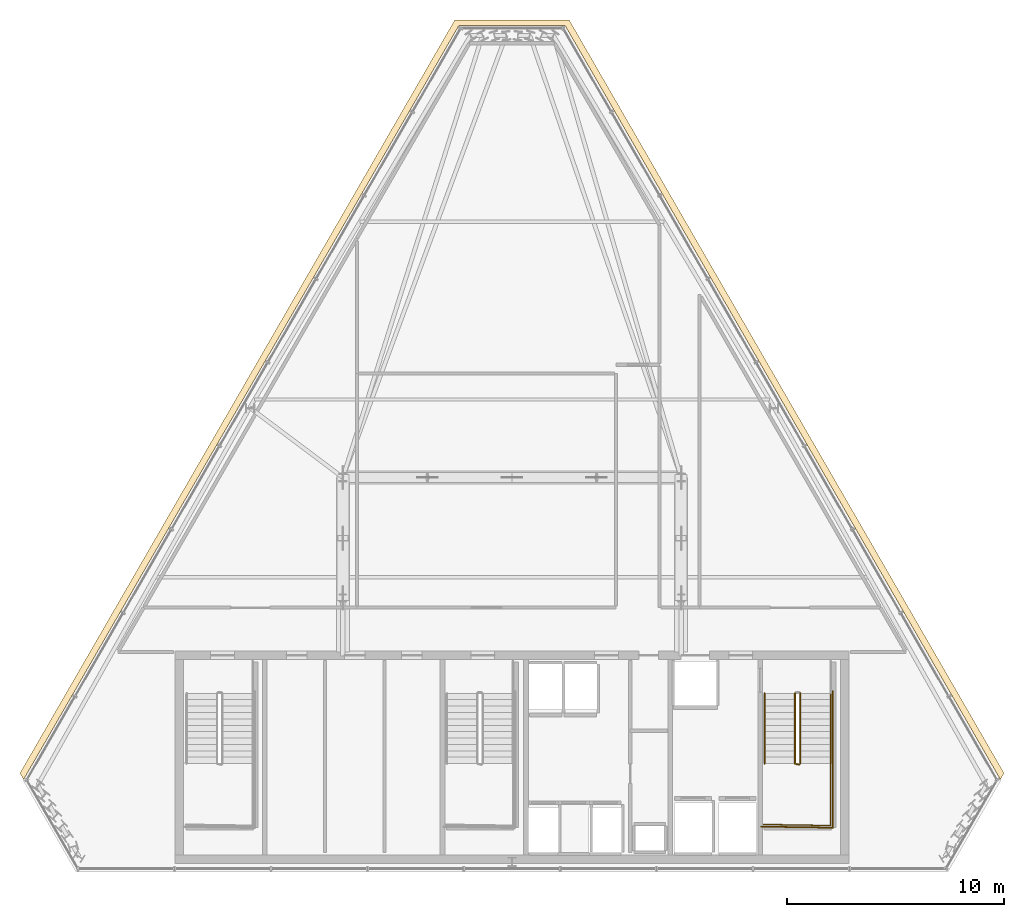
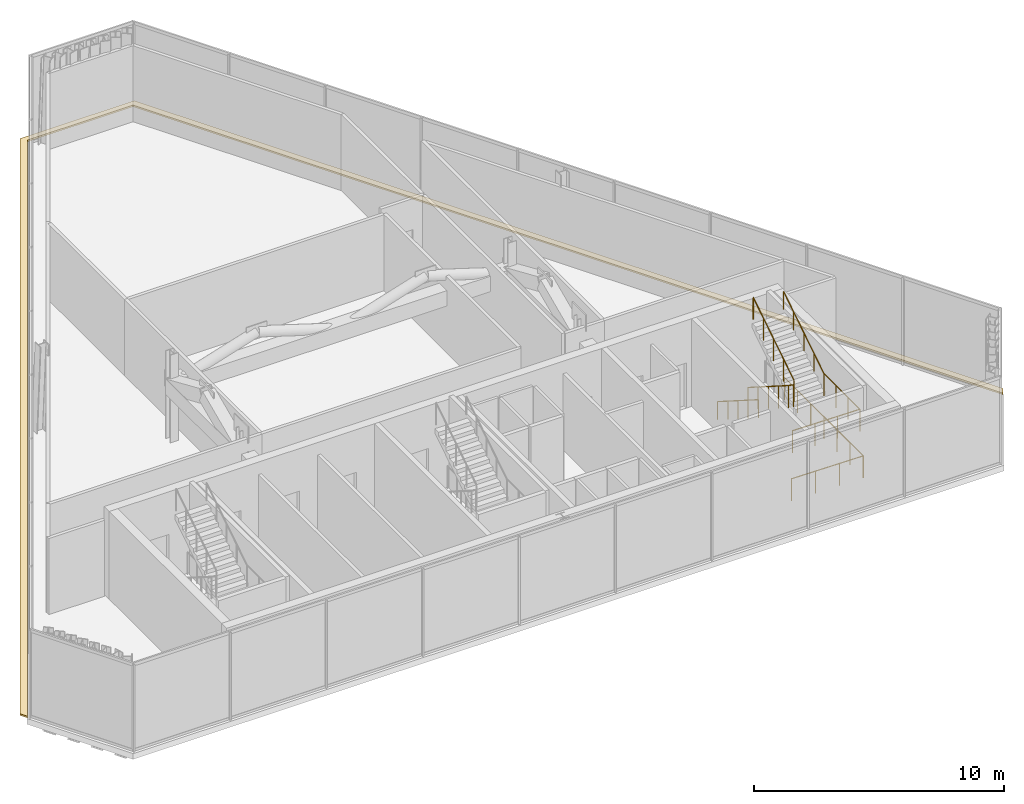
# One storey, part 31 of 32: 6 railings, 1 covering.
"""IFC4 building model written with IfcOpenShell, lengths in metres."""

from ifc_helpers import new_model, si_unit, direction, frame, origin, origin_2d, place, context, subcontext, project, spatial, polyline, circle, outline, extrude, material, layer, layer_set, type_object, element, save


model = new_model("IFC4")

# Units and contexts
model_context = context("Model", 3, precision=1e-05, world=origin(), true_north=direction((0.0, 1.0)))
body_context = subcontext(model_context, "Body", "Model", "MODEL_VIEW")
ifc_project = project(units=[si_unit("LENGTHUNIT", "METRE"), si_unit("AREAUNIT", "SQUARE_METRE"), si_unit("VOLUMEUNIT", "CUBIC_METRE"), si_unit("PLANEANGLEUNIT", "RADIAN"), si_unit("MASSUNIT", "GRAM", prefix="KILO")], contexts=[model_context])

# Site, building, storey
site_placement = place(None, origin())
site = spatial("IfcSite", under=ifc_project, at=site_placement, CompositionType="ELEMENT")
building_placement = place(site_placement, origin())
building = spatial("IfcBuilding", under=site, at=building_placement, Name="Ndaravel Arena Tower", CompositionType="ELEMENT")
storey_placement = place(building_placement, frame((0.0, 0.0, 278.800048828125)))
storey = spatial("IfcBuildingStorey", under=building, at=storey_placement, Name="L68", CompositionType="ELEMENT", Elevation=278.800048828125)

# Covering
ifc_material_1 = material(Name="Roofing Membrane", Category="finish")
ifc_layer_1 = layer(ifc_material_1, 0.080078125)
ifc_layer_set_1 = layer_set([ifc_layer_1], Name="Roofing Membrane")
covering_type = type_object("IfcCoveringType", Name="COV-ROOF-MEMB", PredefinedType="ROOFING", material=ifc_layer_set_1)
covering_placement = place(storey_placement, origin())
element("IfcCovering", 1, at=covering_placement, inside=storey, type_object=covering_type, Name="L68 Facet Setback Weathering Flashing", PredefinedType="ROOFING", context=body_context, shape_type="SweptSolid", body=[
    extrude(outline(polyline([(19.311279296875, 9.567626953125), (39.36279296875, 44.298095703125), (44.63720703125, 44.298095703125), (64.688720703125, 9.567626953125), (64.52099609375, 9.277099609375), (44.443359375, 44.052490234375), (39.556640625, 44.052490234375), (19.47900390625, 9.277099609375), (19.311279296875, 9.567626953125)])), origin(), (0.0, 0.0, 1.0), 0.079833984375),
])

# Railings
ifc_material_2 = material(Name="Steel S355", Category="steel")
ifc_layer_2 = layer(ifc_material_2, 0.06005859375)
ifc_layer_set_2 = layer_set([ifc_layer_2], Name="Steel S355")
railing_type_1 = type_object("IfcRailingType", Name="RAIL-STAIR-GD1100", PredefinedType="GUARDRAIL", material=ifc_layer_set_2)
railing_1_placement = place(storey_placement, frame((55.050048828125, 13.25, 0.1875)))
element("IfcRailing", 2, at=railing_1_placement, inside=storey, type_object=railing_type_1, Name="L68 ST-3 stair guard 1", PredefinedType="GUARDRAIL", context=body_context, shape_type="SweptSolid", body=[
    extrude(circle(Radius=0.02392578125, at=origin_2d()), frame((0.0, 0.0, 1.076171875), z_axis=(0.0, -0.843964631203, 0.536398826693), x_axis=(1.0, 0.0, 0.0)), (0.0, 0.0, 1.0), 3.844970703125),
    extrude(circle(Radius=0.02392578125, at=origin_2d()), frame((0.0, -3.2451171875, 3.138671875), z_axis=(0.967299629482, -0.253636406702, 0.0), x_axis=(0.253636406702, 0.967299629482, 0.0)), (0.0, 0.0, 1.0), 0.1962890625),
    extrude(circle(Radius=0.02099609375, at=origin_2d()), origin(), (0.0, 0.0, 1.0), 1.052001953125),
    extrude(circle(Radius=0.02099609375, at=origin_2d()), frame((0.0, -0.811279296875, 0.515625)), (0.0, 0.0, 1.0), 1.052001953125),
    extrude(circle(Radius=0.02099609375, at=origin_2d()), frame((0.0, -1.62255859375, 1.03125)), (0.0, 0.0, 1.0), 1.052001953125),
    extrude(circle(Radius=0.02099609375, at=origin_2d()), frame((0.0, -2.433837890625, 1.546875)), (0.0, 0.0, 1.0), 1.052001953125),
    extrude(circle(Radius=0.02099609375, at=origin_2d()), frame((0.0, -3.2451171875, 2.0625)), (0.0, 0.0, 1.0), 1.052001953125),
    extrude(circle(Radius=0.02099609375, at=origin_2d()), frame((0.18994140625, -3.294921875, 2.0625)), (0.0, 0.0, 1.0), 1.052001953125),
])
railing_2_placement = place(storey_placement, frame((56.68994140625, 10.0048828125, 2.25)))
element("IfcRailing", 3, at=railing_2_placement, inside=storey, type_object=railing_type_1, Name="L68 ST-3 stair guard 2", PredefinedType="GUARDRAIL", context=body_context, shape_type="SweptSolid", body=[
    extrude(circle(Radius=0.02392578125, at=origin_2d()), frame((0.0, 0.0, 1.076171875), z_axis=(0.0, -1.0, 0.0), x_axis=(1.0, 0.0, 0.0)), (0.0, 0.0, 1.0), 2.85498046875),
    extrude(circle(Radius=0.02392578125, at=origin_2d()), frame((0.0, -2.85498046875, 1.076171875), z_axis=(-0.999868840623, 0.016195726322, 0.0), x_axis=(-0.016195726322, -0.999868840623, 0.0)), (0.0, 0.0, 1.0), 3.09033203125),
    extrude(circle(Radius=0.02099609375, at=origin_2d()), origin(), (0.0, 0.0, 1.0), 1.052001953125),
    extrude(circle(Radius=0.02099609375, at=origin_2d()), frame((0.0, -0.95166015625, 0.0)), (0.0, 0.0, 1.0), 1.052001953125),
    extrude(circle(Radius=0.02099609375, at=origin_2d()), frame((0.0, -1.9033203125, 0.0)), (0.0, 0.0, 1.0), 1.052001953125),
    extrude(circle(Radius=0.02099609375, at=origin_2d()), frame((0.0, -2.85498046875, 0.0)), (0.0, 0.0, 1.0), 1.052001953125),
    extrude(circle(Radius=0.02099609375, at=origin_2d()), frame((-1.030029296875, -2.83837890625, 0.0)), (0.0, 0.0, 1.0), 1.052001953125),
    extrude(circle(Radius=0.02099609375, at=origin_2d()), frame((-2.059814453125, -2.821533203125, 0.0)), (0.0, 0.0, 1.0), 1.052001953125),
    extrude(circle(Radius=0.02099609375, at=origin_2d()), frame((-3.08984375, -2.804931640625, 0.0)), (0.0, 0.0, 1.0), 1.052001953125),
])
railing_3_placement = place(storey_placement, frame((55.2900390625, 10.0048828125, 2.4375)))
element("IfcRailing", 4, at=railing_3_placement, inside=storey, type_object=railing_type_1, Name="L68 ST-3 stair guard 3", PredefinedType="GUARDRAIL", context=body_context, shape_type="SweptSolid", body=[
    extrude(circle(Radius=0.02392578125, at=origin_2d()), frame((0.0, 0.0, 1.076171875), z_axis=(0.0, 0.843964631203, 0.536398826693), x_axis=(-1.0, 0.0, 0.0)), (0.0, 0.0, 1.0), 3.844970703125),
    extrude(circle(Radius=0.02099609375, at=origin_2d()), origin(), (0.0, 0.0, 1.0), 1.052001953125),
    extrude(circle(Radius=0.02099609375, at=origin_2d()), frame((0.0, 0.811279296875, 0.515625)), (0.0, 0.0, 1.0), 1.052001953125),
    extrude(circle(Radius=0.02099609375, at=origin_2d()), frame((0.0, 1.62255859375, 1.03125)), (0.0, 0.0, 1.0), 1.052001953125),
    extrude(circle(Radius=0.02099609375, at=origin_2d()), frame((0.0, 2.433837890625, 1.546875)), (0.0, 0.0, 1.0), 1.052001953125),
    extrude(circle(Radius=0.02099609375, at=origin_2d()), frame((0.0, 3.2451171875, 2.0625)), (0.0, 0.0, 1.0), 1.052001953125),
])
railing_4_placement = place(storey_placement, frame((56.7900390625, 13.35009765625, 0.0)))
element("IfcRailing", 5, at=railing_4_placement, inside=storey, type_object=railing_type_1, Name="L68 ST-3 stair guard 6", PredefinedType="GUARDRAIL", context=body_context, shape_type="SweptSolid", body=[
    extrude(circle(Radius=0.02392578125, at=origin_2d()), frame((0.0, 0.0, 1.076171875), z_axis=(0.0, -1.0, 0.0), x_axis=(1.0, 0.0, 0.0)), (0.0, 0.0, 1.0), 6.300048828125),
    extrude(circle(Radius=0.02392578125, at=origin_2d()), frame((0.0, -6.300048828125, 1.076171875), z_axis=(-0.99988431412, 0.015210469308, 0.0), x_axis=(-0.015210469308, -0.99988431412, 0.0)), (0.0, 0.0, 1.0), 3.29052734375),
    extrude(circle(Radius=0.02099609375, at=origin_2d()), origin(), (0.0, 0.0, 1.0), 1.052001953125),
    extrude(circle(Radius=0.02099609375, at=origin_2d()), frame((0.0, -1.050048828125, 0.0)), (0.0, 0.0, 1.0), 1.052001953125),
    extrude(circle(Radius=0.02099609375, at=origin_2d()), frame((0.0, -2.10009765625, 0.0)), (0.0, 0.0, 1.0), 1.052001953125),
    extrude(circle(Radius=0.02099609375, at=origin_2d()), frame((0.0, -3.14990234375, 0.0)), (0.0, 0.0, 1.0), 1.052001953125),
    extrude(circle(Radius=0.02099609375, at=origin_2d()), frame((0.0, -4.199951171875, 0.0)), (0.0, 0.0, 1.0), 1.052001953125),
    extrude(circle(Radius=0.02099609375, at=origin_2d()), frame((0.0, -5.25, 0.0)), (0.0, 0.0, 1.0), 1.052001953125),
    extrude(circle(Radius=0.02099609375, at=origin_2d()), frame((0.0, -6.300048828125, 0.0)), (0.0, 0.0, 1.0), 1.052001953125),
    extrude(circle(Radius=0.02099609375, at=origin_2d()), frame((-1.0966796875, -6.283447265625, 0.0)), (0.0, 0.0, 1.0), 1.052001953125),
    extrude(circle(Radius=0.02099609375, at=origin_2d()), frame((-2.193359375, -6.2666015625, 0.0)), (0.0, 0.0, 1.0), 1.052001953125),
    extrude(circle(Radius=0.02099609375, at=origin_2d()), frame((-3.2900390625, -6.25, 0.0)), (0.0, 0.0, 1.0), 1.052001953125),
])
ifc_material_3 = material(Name="Steel S355", Category="steel")
ifc_layer_3 = layer(ifc_material_3, 0.050048828125)
ifc_layer_set_3 = layer_set([ifc_layer_3], Name="Steel S355")
railing_type_2 = type_object("IfcRailingType", Name="RAIL-STAIR-HR920", PredefinedType="HANDRAIL", material=ifc_layer_set_3)
railing_5_placement = place(storey_placement, frame((53.64990234375, 13.25, 0.1875)))
element("IfcRailing", 6, at=railing_5_placement, inside=storey, type_object=railing_type_2, Name="L68 ST-3 stair handrail 1", PredefinedType="HANDRAIL", context=body_context, shape_type="SweptSolid", body=[
    extrude(circle(Radius=0.02392578125, at=origin_2d()), frame((0.0, 0.0, 0.8759765625), z_axis=(0.0, -0.843964631203, 0.536398826693), x_axis=(1.0, 0.0, 0.0)), (0.0, 0.0, 1.0), 3.844970703125),
    extrude(circle(Radius=0.02099609375, at=origin_2d()), origin(), (0.0, 0.0, 1.0), 0.851806640625),
    extrude(circle(Radius=0.02099609375, at=origin_2d()), frame((0.0, -0.811279296875, 0.515625)), (0.0, 0.0, 1.0), 0.851806640625),
    extrude(circle(Radius=0.02099609375, at=origin_2d()), frame((0.0, -1.62255859375, 1.03125)), (0.0, 0.0, 1.0), 0.851806640625),
    extrude(circle(Radius=0.02099609375, at=origin_2d()), frame((0.0, -2.433837890625, 1.546875)), (0.0, 0.0, 1.0), 0.851806640625),
    extrude(circle(Radius=0.02099609375, at=origin_2d()), frame((0.0, -3.2451171875, 2.0625)), (0.0, 0.0, 1.0), 0.851806640625),
])
railing_6_placement = place(storey_placement, frame((56.68994140625, 10.0048828125, 2.4375)))
element("IfcRailing", 7, at=railing_6_placement, inside=storey, type_object=railing_type_2, Name="L68 ST-3 stair handrail 2", PredefinedType="HANDRAIL", context=body_context, shape_type="SweptSolid", body=[
    extrude(circle(Radius=0.02392578125, at=origin_2d()), frame((0.0, 0.0, 0.8759765625), z_axis=(0.0, 0.843964631203, 0.536398826693), x_axis=(-1.0, 0.0, 0.0)), (0.0, 0.0, 1.0), 3.844970703125),
    extrude(circle(Radius=0.02099609375, at=origin_2d()), origin(), (0.0, 0.0, 1.0), 0.851806640625),
    extrude(circle(Radius=0.02099609375, at=origin_2d()), frame((0.0, 0.811279296875, 0.515625)), (0.0, 0.0, 1.0), 0.851806640625),
    extrude(circle(Radius=0.02099609375, at=origin_2d()), frame((0.0, 1.62255859375, 1.03125)), (0.0, 0.0, 1.0), 0.851806640625),
    extrude(circle(Radius=0.02099609375, at=origin_2d()), frame((0.0, 2.433837890625, 1.546875)), (0.0, 0.0, 1.0), 0.851806640625),
    extrude(circle(Radius=0.02099609375, at=origin_2d()), frame((0.0, 3.2451171875, 2.0625)), (0.0, 0.0, 1.0), 0.851806640625),
])

save(model, "model.ifc")
